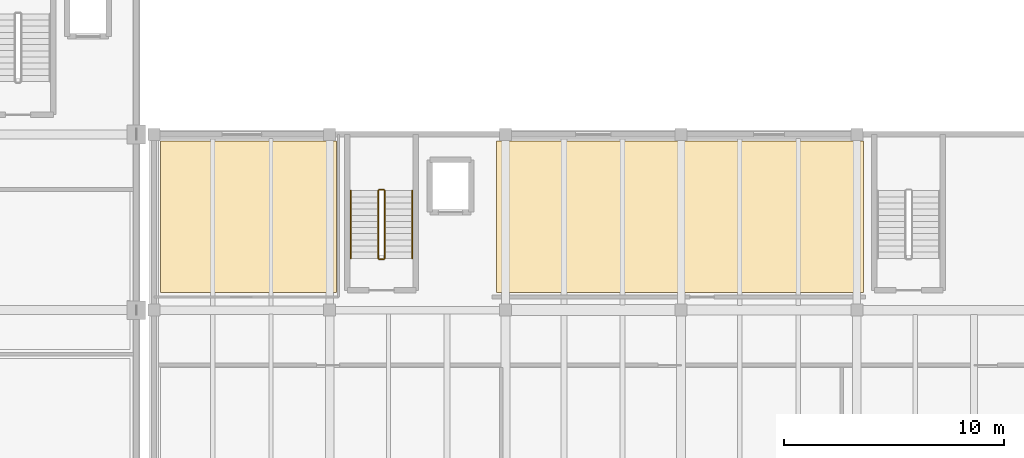
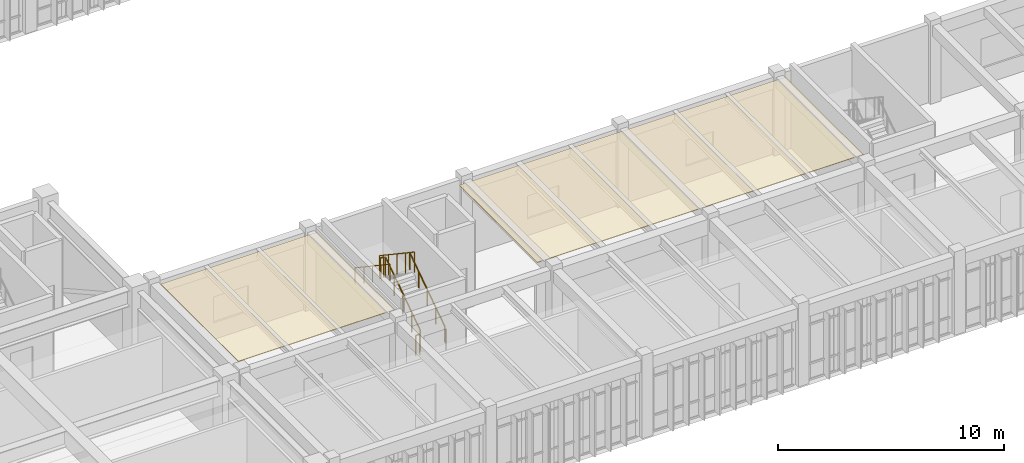
# One storey, part 72 of 79: 6 railings, 2 coverings.
"""IFC4 building model written with IfcOpenShell, lengths in metres."""

from ifc_helpers import new_model, si_unit, direction, frame, origin, origin_2d, place, context, subcontext, project, spatial, polyline, circle, outline, extrude, material, layer, layer_set, type_object, element, save


model = new_model("IFC4")

# Units and contexts
model_context = context("Model", 3, precision=1e-05, world=origin(), true_north=direction((0.0, 1.0)))
body_context = subcontext(model_context, "Body", "Model", "MODEL_VIEW")
ifc_project = project(units=[si_unit("LENGTHUNIT", "METRE"), si_unit("AREAUNIT", "SQUARE_METRE"), si_unit("VOLUMEUNIT", "CUBIC_METRE"), si_unit("PLANEANGLEUNIT", "RADIAN"), si_unit("MASSUNIT", "GRAM", prefix="KILO")], contexts=[model_context])

# Site, building, storey
site_placement = place(None, origin())
site = spatial("IfcSite", under=ifc_project, at=site_placement, CompositionType="ELEMENT")
building_placement = place(site_placement, origin())
building = spatial("IfcBuilding", under=site, at=building_placement, Name="Tlaxcora Railside Police Headquarters", CompositionType="ELEMENT")
storey_placement = place(building_placement, frame((0.0, 0.0, 9.0)))
storey = spatial("IfcBuildingStorey", under=building, at=storey_placement, Name="L02", CompositionType="ELEMENT", Elevation=9.0)

# Coverings
ifc_material_1 = material(Name="Mineral-fibre acoustic ceiling tile")
ifc_layer = layer(ifc_material_1, 0.034912109375, Name="Mineral-fibre acoustic ceiling tile")
ifc_layer_set = layer_set([ifc_layer], Name="Mineral-fibre acoustic ceiling tile")
covering_type = type_object("IfcCoveringType", Name="Acoustic Suspended Ceiling CLG-01", PredefinedType="CEILING", material=ifc_layer_set)
covering_1_placement = place(storey_placement, frame((0.0, 0.0, 4.06494140625)))
element("IfcCovering", 1, at=covering_1_placement, inside=storey, type_object=covering_type, Name="Accessible WC and Cadet Restrooms L02 suspended ceiling", PredefinedType="CEILING", context=body_context, shape_type="SweptSolid", body=[
    extrude(outline(polyline([(103.10009765625, 51.699951171875), (103.10009765625, 44.800048828125), (111.10009765625, 44.800048828125), (111.10009765625, 51.699951171875), (103.10009765625, 51.699951171875)])), origin(), (0.0, 0.0, 1.0), 0.03515625),
])
covering_2_placement = place(storey_placement, frame((0.0, 0.0, 4.06494140625)))
element("IfcCovering", 2, at=covering_2_placement, inside=storey, type_object=covering_type, Name="Case Review and Instructor Room L02 suspended ceiling", PredefinedType="CEILING", context=body_context, shape_type="SweptSolid", body=[
    extrude(outline(polyline([(118.39990234375, 51.699951171875), (118.39990234375, 44.800048828125), (135.10009765625, 44.800048828125), (135.10009765625, 51.699951171875), (118.39990234375, 51.699951171875)])), origin(), (0.0, 0.0, 1.0), 0.03515625),
])

# Railings
ifc_material_2 = material(Name="Steel ASTM A992 Grade 50", Category="steel")
railing_type_1 = type_object("IfcRailingType", Name="Stair Well Guard Balustrade GR-02", PredefinedType="BALUSTRADE", material=ifc_material_2)
railing_1_placement = place(storey_placement, frame((113.31005859375, 46.360107421875, 0.1875)))
element("IfcRailing", 3, at=railing_1_placement, inside=storey, type_object=railing_type_1, Name="L02 ST5 stair guard 1", PredefinedType="BALUSTRADE", context=body_context, shape_type="SweptSolid", body=[
    extrude(circle(Radius=0.02392578125, at=origin_2d()), frame((0.0, 0.0, 1.09619140625), z_axis=(0.0, 0.830893310487, 0.556431762742), x_axis=(-1.0, 0.0, 0.0)), (0.0, 0.0, 1.0), 3.70654296875),
    extrude(circle(Radius=0.02099609375, at=origin_2d()), origin(), (0.0, 0.0, 1.0), 1.072021484375),
    extrude(circle(Radius=0.02099609375, at=origin_2d()), frame((0.0, 0.77001953125, 0.515625)), (0.0, 0.0, 1.0), 1.072021484375),
    extrude(circle(Radius=0.02099609375, at=origin_2d()), frame((0.0, 1.5400390625, 1.03125)), (0.0, 0.0, 1.0), 1.072021484375),
    extrude(circle(Radius=0.02099609375, at=origin_2d()), frame((0.0, 2.309814453125, 1.546875)), (0.0, 0.0, 1.0), 1.072021484375),
    extrude(circle(Radius=0.02099609375, at=origin_2d()), frame((0.0, 3.079833984375, 2.0625)), (0.0, 0.0, 1.0), 1.072021484375),
])
railing_2_placement = place(storey_placement, frame((113.260009765625, 49.489990234375, 2.25)))
element("IfcRailing", 4, at=railing_2_placement, inside=storey, type_object=railing_type_1, Name="L02 ST5 stair guard 2", PredefinedType="BALUSTRADE", context=body_context, shape_type="SweptSolid", body=[
    extrude(circle(Radius=0.02392578125, at=origin_2d()), frame((0.0, 0.0, 1.09619140625), z_axis=(-1.0, 0.0, 0.0), x_axis=(0.0, -1.0, 0.0)), (0.0, 0.0, 1.0), 0.199951171875),
    extrude(circle(Radius=0.02099609375, at=origin_2d()), origin(), (0.0, 0.0, 1.0), 1.072021484375),
    extrude(circle(Radius=0.02099609375, at=origin_2d()), frame((-0.199951171875, 0.0, 0.0)), (0.0, 0.0, 1.0), 1.072021484375),
])
railing_3_placement = place(storey_placement, frame((113.010009765625, 49.43994140625, 2.4375)))
element("IfcRailing", 5, at=railing_3_placement, inside=storey, type_object=railing_type_1, Name="L02 ST5 stair guard 3", PredefinedType="BALUSTRADE", context=body_context, shape_type="SweptSolid", body=[
    extrude(circle(Radius=0.02392578125, at=origin_2d()), frame((0.0, 0.0, 1.09619140625), z_axis=(0.0, -0.830893310487, 0.556431762742), x_axis=(1.0, 0.0, 0.0)), (0.0, 0.0, 1.0), 3.70654296875),
    extrude(circle(Radius=0.02099609375, at=origin_2d()), origin(), (0.0, 0.0, 1.0), 1.072021484375),
    extrude(circle(Radius=0.02099609375, at=origin_2d()), frame((0.0, -0.77001953125, 0.515625)), (0.0, 0.0, 1.0), 1.072021484375),
    extrude(circle(Radius=0.02099609375, at=origin_2d()), frame((0.0, -1.5400390625, 1.03125)), (0.0, 0.0, 1.0), 1.072021484375),
    extrude(circle(Radius=0.02099609375, at=origin_2d()), frame((0.0, -2.309814453125, 1.546875)), (0.0, 0.0, 1.0), 1.072021484375),
    extrude(circle(Radius=0.02099609375, at=origin_2d()), frame((0.0, -3.079833984375, 2.0625)), (0.0, 0.0, 1.0), 1.072021484375),
])
railing_4_placement = place(storey_placement, frame((113.260009765625, 46.31005859375, 0.0)))
element("IfcRailing", 6, at=railing_4_placement, inside=storey, type_object=railing_type_1, Name="L02 ST5 stair guard 4", PredefinedType="BALUSTRADE", context=body_context, shape_type="SweptSolid", body=[
    extrude(circle(Radius=0.02392578125, at=origin_2d()), frame((0.0, 0.0, 1.09619140625), z_axis=(-1.0, 0.0, 0.0), x_axis=(0.0, -1.0, 0.0)), (0.0, 0.0, 1.0), 0.199951171875),
    extrude(circle(Radius=0.02099609375, at=origin_2d()), origin(), (0.0, 0.0, 1.0), 1.072021484375),
    extrude(circle(Radius=0.02099609375, at=origin_2d()), frame((-0.199951171875, 0.0, 0.0)), (0.0, 0.0, 1.0), 1.072021484375),
])
railing_type_2 = type_object("IfcRailingType", Name="Stair and Ramp Handrail HR-01", PredefinedType="HANDRAIL", material=ifc_material_2)
railing_5_placement = place(storey_placement, frame((114.56005859375, 46.360107421875, 0.1875)))
element("IfcRailing", 7, at=railing_5_placement, inside=storey, type_object=railing_type_2, Name="L02 ST5 stair handrail 1", PredefinedType="HANDRAIL", context=body_context, shape_type="SweptSolid", body=[
    extrude(circle(Radius=0.02392578125, at=origin_2d()), frame((0.0, 0.0, 0.8759765625), z_axis=(0.0, 0.830893310487, 0.556431762742), x_axis=(-1.0, 0.0, 0.0)), (0.0, 0.0, 1.0), 3.70654296875),
    extrude(circle(Radius=0.02099609375, at=origin_2d()), origin(), (0.0, 0.0, 1.0), 0.851806640625),
    extrude(circle(Radius=0.02099609375, at=origin_2d()), frame((0.0, 0.77001953125, 0.515625)), (0.0, 0.0, 1.0), 0.851806640625),
    extrude(circle(Radius=0.02099609375, at=origin_2d()), frame((0.0, 1.5400390625, 1.03125)), (0.0, 0.0, 1.0), 0.851806640625),
    extrude(circle(Radius=0.02099609375, at=origin_2d()), frame((0.0, 2.309814453125, 1.546875)), (0.0, 0.0, 1.0), 0.851806640625),
    extrude(circle(Radius=0.02099609375, at=origin_2d()), frame((0.0, 3.079833984375, 2.0625)), (0.0, 0.0, 1.0), 0.851806640625),
])
railing_6_placement = place(storey_placement, frame((111.760009765625, 49.43994140625, 2.4375)))
element("IfcRailing", 8, at=railing_6_placement, inside=storey, type_object=railing_type_2, Name="L02 ST5 stair handrail 2", PredefinedType="HANDRAIL", context=body_context, shape_type="SweptSolid", body=[
    extrude(circle(Radius=0.02392578125, at=origin_2d()), frame((0.0, 0.0, 0.8759765625), z_axis=(0.0, -0.830893310487, 0.556431762742), x_axis=(1.0, 0.0, 0.0)), (0.0, 0.0, 1.0), 3.70654296875),
    extrude(circle(Radius=0.02099609375, at=origin_2d()), origin(), (0.0, 0.0, 1.0), 0.851806640625),
    extrude(circle(Radius=0.02099609375, at=origin_2d()), frame((0.0, -0.77001953125, 0.515625)), (0.0, 0.0, 1.0), 0.851806640625),
    extrude(circle(Radius=0.02099609375, at=origin_2d()), frame((0.0, -1.5400390625, 1.03125)), (0.0, 0.0, 1.0), 0.851806640625),
    extrude(circle(Radius=0.02099609375, at=origin_2d()), frame((0.0, -2.309814453125, 1.546875)), (0.0, 0.0, 1.0), 0.851806640625),
    extrude(circle(Radius=0.02099609375, at=origin_2d()), frame((0.0, -3.079833984375, 2.0625)), (0.0, 0.0, 1.0), 0.851806640625),
])

save(model, "model.ifc")
